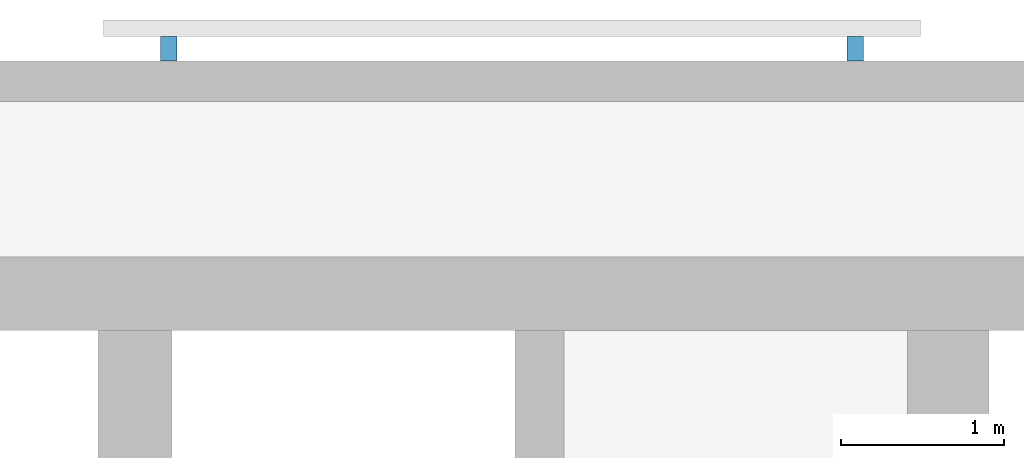
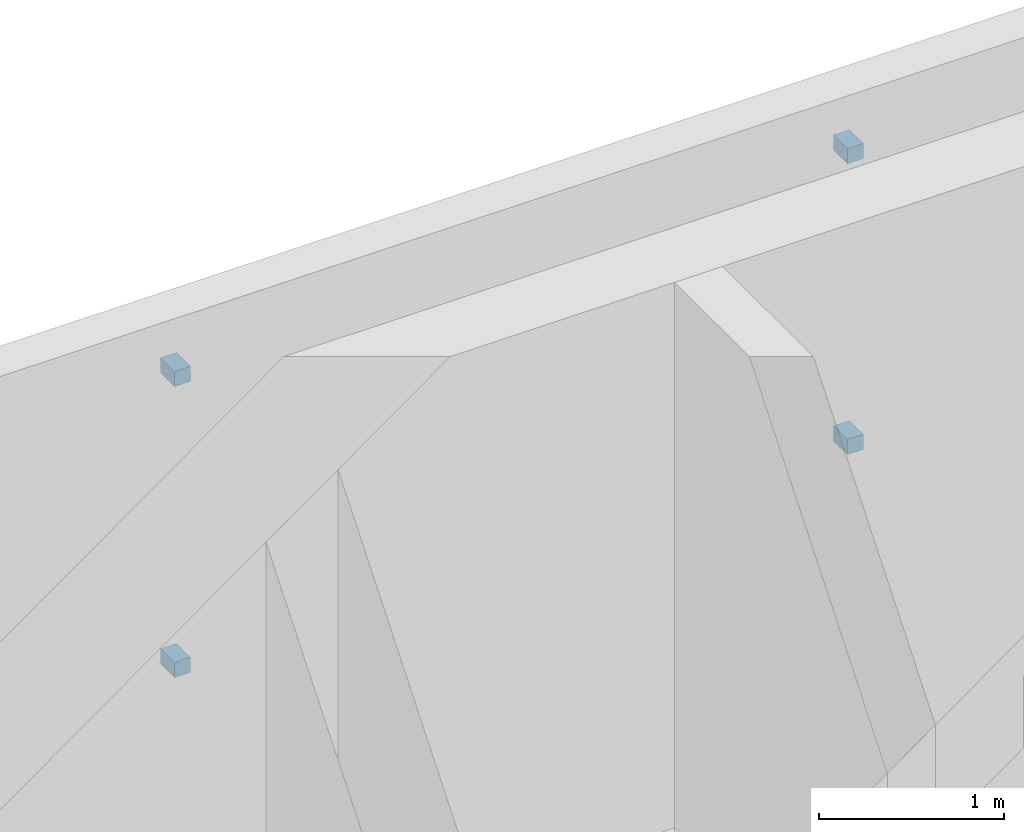
# One storey, part 11 of 14: 4 discrete accessories.
"""IFC4 building model written with IfcOpenShell, lengths in metres."""

from ifc_helpers import new_model, si_unit, direction, frame, origin, origin_2d, place, context, subcontext, project, spatial, rectangle, extrude, material, type_object, element, save


model = new_model("IFC4")

# Units and contexts
model_context = context("Model", 3, precision=1e-05, world=origin(), true_north=direction((0.0, 1.0)))
body_context = subcontext(model_context, "Body", "Model", "MODEL_VIEW")
ifc_project = project(units=[si_unit("LENGTHUNIT", "METRE"), si_unit("AREAUNIT", "SQUARE_METRE"), si_unit("VOLUMEUNIT", "CUBIC_METRE"), si_unit("PLANEANGLEUNIT", "RADIAN"), si_unit("MASSUNIT", "GRAM", prefix="KILO")], contexts=[model_context])

# Site, building, storey
site_placement = place(None, origin())
site = spatial("IfcSite", under=ifc_project, at=site_placement, CompositionType="ELEMENT")
building_placement = place(site_placement, origin())
building = spatial("IfcBuilding", under=site, at=building_placement, Name="Torana Hotel and Residences", CompositionType="ELEMENT")
storey_placement = place(building_placement, frame((0.0, 0.0, 85.199951171875)))
storey = spatial("IfcBuildingStorey", under=building, at=storey_placement, Name="L21", CompositionType="ELEMENT", Elevation=85.199951171875)

# Discrete accessories
ifc_material = material(Name="Steel S355", Category="steel")
discrete_accessory_type = type_object("IfcDiscreteAccessoryType", Name="SCREEN BRACKET 100", PredefinedType="BRACKET", material=ifc_material)
for number, where, z_axis, x_axis, name in (
    (1, (23.681396484375, 1.27490234375, 0.75), (0.0, 0.0, 1.0), (-1.0, 0.0, 0.0), "Screen bracket L21"),
    (2, (23.681396484375, 1.27490234375, 2.669921875), (0.0, 0.0, 1.0), (-1.0, 0.0, 0.0), "Screen bracket L21"),
    (3, (19.4814453125, 1.27490234375, 0.75), (0.0, 0.0, 1.0), (-1.0, 0.0, 0.0), "Screen bracket L21"),
    (4, (19.4814453125, 1.27490234375, 2.669921875), (0.0, 0.0, 1.0), (-1.0, 0.0, 0.0), "Screen bracket L21"),
):
    element("IfcDiscreteAccessory", number, at=place(storey_placement, frame(where, z_axis=z_axis, x_axis=x_axis)), inside=storey, type_object=discrete_accessory_type, Name=name, PredefinedType="BRACKET", context=body_context, shape_type="SweptSolid", body=[
        extrude(rectangle(XDim=0.10009765625, YDim=0.14990234375, at=origin_2d()), origin(), (0.0, 0.0, 1.0), 0.10009765625),
    ])

save(model, "model.ifc")
